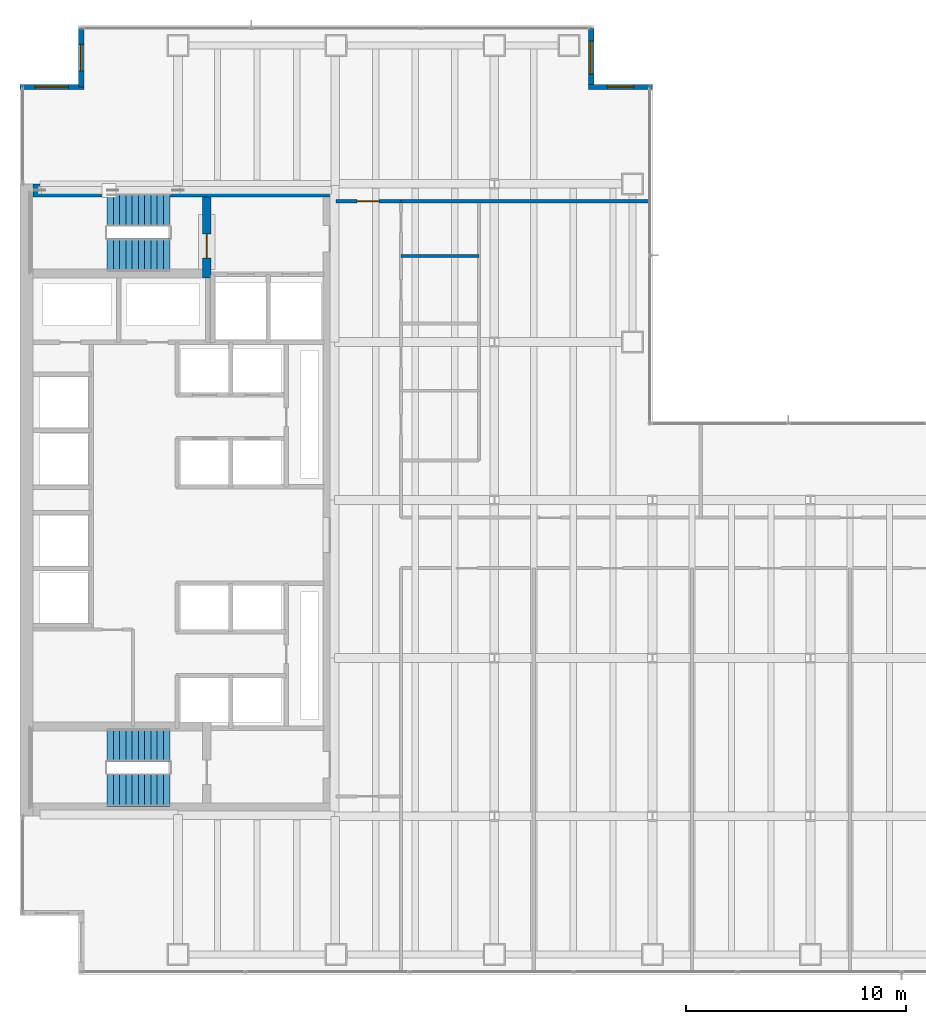
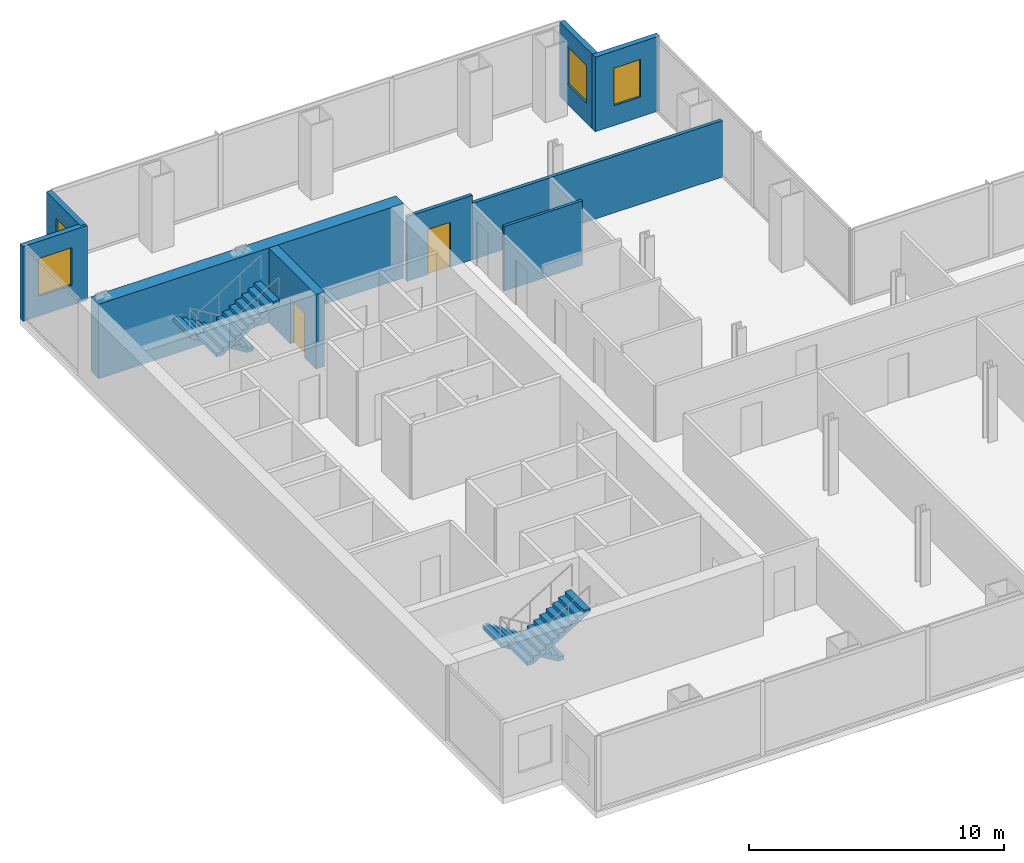
# One storey, part 22 of 25: 9 walls, 4 stair flights, 4 windows, 2 doors, 6 openings, 2 elements without a shape of their own.
"""IFC4 building model written with IfcOpenShell, lengths in metres."""

from ifc_helpers import new_model, si_unit, direction, frame, frame_2d, origin, place, context, subcontext, project, spatial, polyline, rectangle, outline, extrude, material, layer, layer_set, type_object, element, fill, aggregate, save


model = new_model("IFC4")

# Units and contexts
model_context = context("Model", 3, precision=1e-05, world=origin(), true_north=direction((0.0, 1.0)))
body_context = subcontext(model_context, "Body", "Model", "MODEL_VIEW")
ifc_project = project(units=[si_unit("LENGTHUNIT", "METRE"), si_unit("AREAUNIT", "SQUARE_METRE"), si_unit("VOLUMEUNIT", "CUBIC_METRE"), si_unit("PLANEANGLEUNIT", "RADIAN"), si_unit("MASSUNIT", "GRAM", prefix="KILO")], contexts=[model_context])

# Site, building, storey
site_placement = place(None, origin())
site = spatial("IfcSite", under=ifc_project, at=site_placement, CompositionType="ELEMENT")
building_placement = place(site_placement, origin())
building = spatial("IfcBuilding", under=site, at=building_placement, Name="Cobrela Telecom Tower", CompositionType="ELEMENT")
storey_placement = place(building_placement, frame((0.0, 0.0, 58.10009765625)))
storey = spatial("IfcBuildingStorey", under=building, at=storey_placement, Name="L14", CompositionType="ELEMENT", Elevation=58.10009765625)

# Wall
ifc_material_1 = material(Name="Concrete C50/60", Category="concrete")
ifc_layer_1 = layer(ifc_material_1, 0.60009765625)
ifc_layer_set_1 = layer_set([ifc_layer_1], Name="Concrete C50/60")
wall_type_1 = type_object("IfcWallType", Name="WALL-CORE-C50-600", PredefinedType="SHEAR", material=ifc_layer_set_1)
wall_1_placement = place(storey_placement, frame((0.60009765625, 35.699951171875, 0.0), z_axis=(0.0, 0.0, 1.0), x_axis=(1.0, 0.0, 0.0)))
element("IfcWall", 1, at=wall_1_placement, inside=storey, type_object=wall_type_1, Name="L14 North Core Shear Wall", PredefinedType="SHEAR", context=body_context, shape_type="SweptSolid", body=[
    extrude(rectangle(XDim=13.7998046875, YDim=0.60009765625, at=frame_2d((6.89990234375, 0.0))), origin(), (0.0, 0.0, 1.0), 3.56982421875),
])

# Wall, opening, window
ifc_material_2 = material(Name="Concrete C40/50", Category="concrete")
ifc_layer_2 = layer(ifc_material_2, 0.239990234375)
ifc_layer_set_2 = layer_set([ifc_layer_2], Name="Concrete C40/50")
wall_type_2 = type_object("IfcWallType", Name="WALL-EXT-300", PredefinedType="STANDARD", material=ifc_layer_set_2)
wall_2_placement = place(storey_placement, frame((0.0, 40.409912109375, 0.0), z_axis=(0.0, 0.0, 1.0), x_axis=(1.0, 0.0, 0.0)))
wall_2 = element("IfcWall", 2, at=wall_2_placement, inside=storey, type_object=wall_type_2, Name="L14 Insulated Facade Wall 05", PredefinedType="STANDARD", context=body_context, shape_type="SweptSolid", body=[
    extrude(rectangle(XDim=2.909912109375, YDim=0.239990234375, at=frame_2d((1.455078125, 0.0))), origin(), (0.0, 0.0, 1.0), 3.56982421875),
])
opening_1_placement = place(wall_2_placement, frame((0.705078125, 0.0, 0.949951171875)))
opening_1 = element("IfcOpeningElement", 3, at=opening_1_placement, cuts=wall_2, Name="Opening WN-45", PredefinedType="OPENING", context=body_context, shape_type="SweptSolid", body=[
    extrude(rectangle(XDim=1.5, YDim=1.800048828125, at=frame_2d((0.75, 0.89990234375))), frame((0.0, 0.1318359375, 0.0), z_axis=(0.0, -1.0, 0.0), x_axis=(1.0, 0.0, 0.0)), (0.0, 0.0, 1.0), 0.263916015625),
])
ifc_material_3 = material(Name="Solar-Control Bronze Low-E Glass", Category="glass")
window_type_1 = type_object("IfcWindowType", Name="WIN-MOD-1500", PartitioningType="SINGLE_PANEL", PredefinedType="WINDOW", material=ifc_material_3)
window_1_placement = place(opening_1_placement, origin())
window_1 = element("IfcWindow", 4, at=window_1_placement, inside=storey, type_object=window_type_1, Name="L14 Corner Notch Facade Window 062", OverallHeight=1.800048828125, OverallWidth=1.5, PartitioningType="SINGLE_PANEL", PredefinedType="WINDOW", context=body_context, shape_type="SweptSolid", body=[
    extrude(rectangle(XDim=1.5, YDim=1.800048828125, at=frame_2d((0.75, 0.89990234375))), frame((0.0, 0.030029296875, 0.0), z_axis=(0.0, -1.0, 0.0), x_axis=(1.0, 0.0, 0.0)), (0.0, 0.0, 1.0), 0.06005859375),
])
fill(opening_1, window_1)

wall_3_placement = place(storey_placement, frame((2.7900390625, 40.409912109375, 0.0), z_axis=(0.0, 0.0, 1.0), x_axis=(0.0, 1.0, 0.0)))
wall_3 = element("IfcWall", 5, at=wall_3_placement, inside=storey, type_object=wall_type_2, Name="L14 Insulated Facade Wall 06", PredefinedType="STANDARD", context=body_context, shape_type="SweptSolid", body=[
    extrude(rectangle(XDim=2.670166015625, YDim=0.239990234375, at=frame_2d((1.3349609375, 0.0))), origin(), (0.0, 0.0, 1.0), 3.56982421875),
])
opening_2_placement = place(wall_3_placement, frame((0.735107421875, 0.0, 0.949951171875)))
opening_2 = element("IfcOpeningElement", 6, at=opening_2_placement, cuts=wall_3, Name="Opening WN-19", PredefinedType="OPENING", context=body_context, shape_type="SweptSolid", body=[
    extrude(rectangle(XDim=1.199951171875, YDim=1.800048828125, at=frame_2d((0.60009765625, 0.89990234375))), frame((0.0, 0.1318359375, 0.0), z_axis=(0.0, -1.0, 0.0), x_axis=(1.0, 0.0, 0.0)), (0.0, 0.0, 1.0), 0.263916015625),
])
window_type_2 = type_object("IfcWindowType", Name="WIN-MOD-1200", PartitioningType="SINGLE_PANEL", PredefinedType="WINDOW", material=ifc_material_3)
window_2_placement = place(opening_2_placement, origin())
window_2 = element("IfcWindow", 7, at=window_2_placement, inside=storey, type_object=window_type_2, Name="L14 Corner Notch Facade Window 063", OverallHeight=1.800048828125, OverallWidth=1.199951171875, PartitioningType="SINGLE_PANEL", PredefinedType="WINDOW", context=body_context, shape_type="SweptSolid", body=[
    extrude(rectangle(XDim=1.199951171875, YDim=1.800048828125, at=frame_2d((0.60009765625, 0.89990234375))), frame((0.0, 0.030029296875, 0.0), z_axis=(0.0, -1.0, 0.0), x_axis=(1.0, 0.0, 0.0)), (0.0, 0.0, 1.0), 0.06005859375),
])
fill(opening_2, window_2)

wall_4_placement = place(storey_placement, frame((26.010009765625, 43.080078125, 0.0), z_axis=(0.0, 0.0, 1.0), x_axis=(0.0, -1.0, 0.0)))
wall_4 = element("IfcWall", 8, at=wall_4_placement, inside=storey, type_object=wall_type_2, Name="L14 Insulated Facade Wall 08", PredefinedType="STANDARD", context=body_context, shape_type="SweptSolid", body=[
    extrude(rectangle(XDim=2.670166015625, YDim=0.239990234375, at=frame_2d((1.3349609375, 0.0))), origin(), (0.0, 0.0, 1.0), 3.56982421875),
])
opening_3_placement = place(wall_4_placement, frame((0.5849609375, 0.0, 0.949951171875)))
opening_3 = element("IfcOpeningElement", 9, at=opening_3_placement, cuts=wall_4, Name="Opening WN-45", PredefinedType="OPENING", context=body_context, shape_type="SweptSolid", body=[
    extrude(rectangle(XDim=1.5, YDim=1.800048828125, at=frame_2d((0.75, 0.89990234375))), frame((0.0, 0.1318359375, 0.0), z_axis=(0.0, -1.0, 0.0), x_axis=(1.0, 0.0, 0.0)), (0.0, 0.0, 1.0), 0.263916015625),
])
window_3_placement = place(opening_3_placement, origin())
window_3 = element("IfcWindow", 10, at=window_3_placement, inside=storey, type_object=window_type_1, Name="L14 Corner Notch Facade Window 064", OverallHeight=1.800048828125, OverallWidth=1.5, PartitioningType="SINGLE_PANEL", PredefinedType="WINDOW", context=body_context, shape_type="SweptSolid", body=[
    extrude(rectangle(XDim=1.5, YDim=1.800048828125, at=frame_2d((0.75, 0.89990234375))), frame((0.0, 0.030029296875, 0.0), z_axis=(0.0, -1.0, 0.0), x_axis=(1.0, 0.0, 0.0)), (0.0, 0.0, 1.0), 0.06005859375),
])
fill(opening_3, window_3)

wall_5_placement = place(storey_placement, frame((25.889892578125, 40.409912109375, 0.0), z_axis=(0.0, 0.0, 1.0), x_axis=(1.0, 0.0, 0.0)))
wall_5 = element("IfcWall", 11, at=wall_5_placement, inside=storey, type_object=wall_type_2, Name="L14 Insulated Facade Wall 09", PredefinedType="STANDARD", context=body_context, shape_type="SweptSolid", body=[
    extrude(rectangle(XDim=2.91015625, YDim=0.239990234375, at=frame_2d((1.455078125, 0.0))), origin(), (0.0, 0.0, 1.0), 3.56982421875),
])
opening_4_placement = place(wall_5_placement, frame((0.85498046875, 0.0, 0.949951171875)))
opening_4 = element("IfcOpeningElement", 12, at=opening_4_placement, cuts=wall_5, Name="Opening WN-19", PredefinedType="OPENING", context=body_context, shape_type="SweptSolid", body=[
    extrude(rectangle(XDim=1.199951171875, YDim=1.800048828125, at=frame_2d((0.60009765625, 0.89990234375))), frame((0.0, 0.1318359375, 0.0), z_axis=(0.0, -1.0, 0.0), x_axis=(1.0, 0.0, 0.0)), (0.0, 0.0, 1.0), 0.263916015625),
])
window_4_placement = place(opening_4_placement, origin())
window_4 = element("IfcWindow", 13, at=window_4_placement, inside=storey, type_object=window_type_2, Name="L14 Corner Notch Facade Window 065", OverallHeight=1.800048828125, OverallWidth=1.199951171875, PartitioningType="SINGLE_PANEL", PredefinedType="WINDOW", context=body_context, shape_type="SweptSolid", body=[
    extrude(rectangle(XDim=1.199951171875, YDim=1.800048828125, at=frame_2d((0.60009765625, 0.89990234375))), frame((0.0, 0.030029296875, 0.0), z_axis=(0.0, -1.0, 0.0), x_axis=(1.0, 0.0, 0.0)), (0.0, 0.0, 1.0), 0.06005859375),
])
fill(opening_4, window_4)

# Wall
ifc_material_4 = material(Name="Fire-Rated Gypsum Plasterboard")
ifc_layer_3 = layer(ifc_material_4, 0.125)
ifc_layer_set_3 = layer_set([ifc_layer_3], Name="Fire-Rated Gypsum Plasterboard")
wall_type_3 = type_object("IfcWallType", Name="WALL-PART-125", PredefinedType="PARTITIONING", material=ifc_layer_set_3)
wall_6_placement = place(storey_placement, frame((17.35009765625, 32.7099609375, 0.0), z_axis=(0.0, 0.0, 1.0), x_axis=(1.0, 0.0, 0.0)))
element("IfcWall", 14, at=wall_6_placement, inside=storey, type_object=wall_type_3, Name="L14 Interior Partition W-WCD-3", PredefinedType="PARTITIONING", context=body_context, shape_type="SweptSolid", body=[
    extrude(rectangle(XDim=3.5498046875, YDim=0.125, at=frame_2d((1.77490234375, 0.0))), origin(), (0.0, 0.0, 1.0), 3.087890625),
])

# Wall, opening, door
ifc_layer_4 = layer(ifc_material_4, 0.14990234375)
ifc_layer_set_4 = layer_set([ifc_layer_4], Name="Fire-Rated Gypsum Plasterboard")
wall_type_4 = type_object("IfcWallType", Name="WALL-PART-150", PredefinedType="PARTITIONING", material=ifc_layer_set_4)
wall_7_placement = place(storey_placement, frame((14.39990234375, 35.199951171875, 0.0), z_axis=(0.0, 0.0, 1.0), x_axis=(1.0, 0.0, 0.0)))
wall_7 = element("IfcWall", 15, at=wall_7_placement, inside=storey, type_object=wall_type_4, Name="L14 Interior Partition W-C-N0", PredefinedType="PARTITIONING", context=body_context, shape_type="SweptSolid", body=[
    extrude(rectangle(XDim=2.9501953125, YDim=0.14990234375, at=frame_2d((1.47509765625, 0.0))), origin(), (0.0, 0.0, 1.0), 3.087890625),
])
opening_5_placement = place(wall_7_placement, frame((0.949951171875, 0.0, 0.0)))
opening_5 = element("IfcOpeningElement", 16, at=opening_5_placement, cuts=wall_7, Name="Opening DR-31", PredefinedType="OPENING", context=body_context, shape_type="SweptSolid", body=[
    extrude(rectangle(XDim=1.0, YDim=2.14990234375, at=frame_2d((0.5, 1.074951171875))), frame((0.0, 0.0869140625, 0.0), z_axis=(0.0, -1.0, 0.0), x_axis=(1.0, 0.0, 0.0)), (0.0, 0.0, 1.0), 0.173828125),
])
ifc_material_5 = material(Name="Solid Engineered Oak Timber", Category="wood")
door_type_1 = type_object("IfcDoorType", Name="DOOR-INT-1000", OperationType="SINGLE_SWING_LEFT", PredefinedType="DOOR", material=ifc_material_5)
door_1_placement = place(opening_5_placement, origin())
door_1 = element("IfcDoor", 17, at=door_1_placement, inside=storey, type_object=door_type_1, Name="L14 Door DR-31", OperationType="SINGLE_SWING_LEFT", OverallHeight=2.14990234375, OverallWidth=1.0, PredefinedType="DOOR", context=body_context, shape_type="SweptSolid", body=[
    extrude(rectangle(XDim=1.0, YDim=2.14990234375, at=frame_2d((0.5, 1.074951171875))), frame((0.0, 0.02490234375, 0.0), z_axis=(0.0, -1.0, 0.0), x_axis=(1.0, 0.0, 0.0)), (0.0, 0.0, 1.0), 0.050048828125),
])
fill(opening_5, door_1)

# Wall
wall_8_placement = place(storey_placement, frame((17.35009765625, 35.199951171875, 0.0), z_axis=(0.0, 0.0, 1.0), x_axis=(1.0, 0.0, 0.0)))
element("IfcWall", 18, at=wall_8_placement, inside=storey, type_object=wall_type_4, Name="L14 Interior Partition W-NW-S", PredefinedType="PARTITIONING", context=body_context, shape_type="SweptSolid", body=[
    extrude(rectangle(XDim=11.329833984375, YDim=0.14990234375, at=frame_2d((5.6650390625, 0.0))), origin(), (0.0, 0.0, 1.0), 2.698974609375),
])

# Wall, opening, door
ifc_layer_5 = layer(ifc_material_2, 0.39990234375)
ifc_layer_set_5 = layer_set([ifc_layer_5], Name="Concrete C40/50")
wall_type_5 = type_object("IfcWallType", Name="WALL-SHAFT-C40-400", PredefinedType="SHEAR", material=ifc_layer_set_5)
wall_9_placement = place(storey_placement, frame((8.5, 31.719970703125, 0.0), z_axis=(0.0, 0.0, 1.0), x_axis=(0.0, 1.0, 0.0)))
wall_9 = element("IfcWall", 19, at=wall_9_placement, inside=storey, type_object=wall_type_5, Name="L14 North Stair Lobby Shear Wall", PredefinedType="SHEAR", context=body_context, shape_type="SweptSolid", body=[
    extrude(rectangle(XDim=3.679931640625, YDim=0.39990234375, at=frame_2d((1.83984375, 0.0))), origin(), (0.0, 0.0, 1.0), 3.56982421875),
])
opening_6_placement = place(wall_9_placement, frame((0.89990234375, 0.0, 0.0)))
opening_6 = element("IfcOpeningElement", 20, at=opening_6_placement, cuts=wall_9, Name="Opening DR-59", PredefinedType="OPENING", context=body_context, shape_type="SweptSolid", body=[
    extrude(rectangle(XDim=1.10009765625, YDim=2.14990234375, at=frame_2d((0.550048828125, 1.074951171875))), frame((0.0, 0.2119140625, 0.0), z_axis=(0.0, -1.0, 0.0), x_axis=(1.0, 0.0, 0.0)), (0.0, 0.0, 1.0), 0.423828125),
])
ifc_material_6 = material(Name="Steel ASTM A36", Category="steel")
door_type_2 = type_object("IfcDoorType", Name="DOOR-FD60-1100", OperationType="SINGLE_SWING_LEFT", PredefinedType="DOOR", material=ifc_material_6)
door_2_placement = place(opening_6_placement, origin())
door_2 = element("IfcDoor", 21, at=door_2_placement, inside=storey, type_object=door_type_2, Name="L14 Door DR-59", OperationType="SINGLE_SWING_RIGHT", OverallHeight=2.14990234375, OverallWidth=1.10009765625, PredefinedType="DOOR", context=body_context, shape_type="SweptSolid", body=[
    extrude(rectangle(XDim=1.10009765625, YDim=2.14990234375, at=frame_2d((0.550048828125, 1.074951171875))), frame((0.0, 0.02490234375, 0.0), z_axis=(0.0, -1.0, 0.0), x_axis=(1.0, 0.0, 0.0)), (0.0, 0.0, 1.0), 0.050048828125),
])
fill(opening_6, door_2)

# Stair, stair flights
stair_type = type_object("IfcStairType", Name="STAIR-CORE", PredefinedType="HALF_TURN_STAIR", material=ifc_material_2)
stair_1_placement = place(storey_placement, origin())
stair_1 = element("IfcStair", 22, at=stair_1_placement, inside=storey, type_object=stair_type, Name="L14 Smokeproof Exit Stair ST1", PredefinedType="HALF_TURN_STAIR")
stair_flight_type = type_object("IfcStairFlightType", Name="FLIGHT-CORE", PredefinedType="STRAIGHT", material=ifc_material_2)
stair_flight_1_placement = place(storey_placement, frame((6.820068359375, 34.800048828125, 0.0), z_axis=(0.0, 0.0, 1.0), x_axis=(-1.0, 0.0, 0.0)))
stair_flight_1 = element("IfcStairFlight", 23, at=stair_flight_1_placement, type_object=stair_flight_type, Name="ST1 flight 1", NumberOfRisers=11, NumberOfTreads=10, PredefinedType="STRAIGHT", RiserHeight=0.175, TreadLength=0.285, context=body_context, shape_type="SweptSolid", body=[
    extrude(outline(polyline([(0.0, 0.0), (0.0, 0.175048828125), (0.284912109375, 0.175048828125), (0.284912109375, 0.35009765625), (0.570068359375, 0.35009765625), (0.570068359375, 0.52490234375), (0.85498046875, 0.52490234375), (0.85498046875, 0.699951171875), (1.139892578125, 0.699951171875), (1.139892578125, 0.875), (1.425048828125, 0.875), (1.425048828125, 1.050048828125), (1.7099609375, 1.050048828125), (1.7099609375, 1.22509765625), (1.9951171875, 1.22509765625), (1.9951171875, 1.39990234375), (2.280029296875, 1.39990234375), (2.280029296875, 1.574951171875), (2.56494140625, 1.574951171875), (2.56494140625, 1.75), (2.85009765625, 1.75), (2.85009765625, 1.925048828125), (2.85009765625, 1.573974609375), (0.286376953125, 0.0), (0.0, 0.0)])), frame((0.0, 0.75, 0.0), z_axis=(0.0, -1.0, 0.0), x_axis=(1.0, 0.0, 0.0)), (0.0, 0.0, 1.0), 1.5),
])
stair_flight_2_placement = place(storey_placement, frame((3.969970703125, 32.75, 1.9248046875), z_axis=(0.0, 0.0, 1.0), x_axis=(1.0, 0.0, 0.0)))
stair_flight_2 = element("IfcStairFlight", 24, at=stair_flight_2_placement, type_object=stair_flight_type, Name="ST1 flight 2", NumberOfRisers=11, NumberOfTreads=10, PredefinedType="STRAIGHT", RiserHeight=0.175, TreadLength=0.285, context=body_context, shape_type="SweptSolid", body=[
    extrude(outline(polyline([(0.0, 0.0), (0.0, 0.175048828125), (0.284912109375, 0.175048828125), (0.284912109375, 0.35009765625), (0.570068359375, 0.35009765625), (0.570068359375, 0.52490234375), (0.85498046875, 0.52490234375), (0.85498046875, 0.699951171875), (1.139892578125, 0.699951171875), (1.139892578125, 0.875), (1.425048828125, 0.875), (1.425048828125, 1.050048828125), (1.7099609375, 1.050048828125), (1.7099609375, 1.22509765625), (1.9951171875, 1.22509765625), (1.9951171875, 1.39990234375), (2.280029296875, 1.39990234375), (2.280029296875, 1.574951171875), (2.56494140625, 1.574951171875), (2.56494140625, 1.75), (2.85009765625, 1.75), (2.85009765625, 1.925048828125), (2.85009765625, 1.573974609375), (0.286376953125, 0.0), (0.0, 0.0)])), frame((0.0, 0.75, 0.0), z_axis=(0.0, -1.0, 0.0), x_axis=(1.0, 0.0, 0.0)), (0.0, 0.0, 1.0), 1.5),
])
aggregate(stair_1, [stair_flight_1, stair_flight_2])

stair_2_placement = place(storey_placement, origin())
stair_2 = element("IfcStair", 25, at=stair_2_placement, inside=storey, type_object=stair_type, Name="L14 Smokeproof Exit Stair ST2", PredefinedType="HALF_TURN_STAIR")
stair_flight_3_placement = place(storey_placement, frame((6.820068359375, 10.449951171875, 0.0), z_axis=(0.0, 0.0, 1.0), x_axis=(-1.0, 0.0, 0.0)))
stair_flight_3 = element("IfcStairFlight", 26, at=stair_flight_3_placement, type_object=stair_flight_type, Name="ST2 flight 1", NumberOfRisers=11, NumberOfTreads=10, PredefinedType="STRAIGHT", RiserHeight=0.175, TreadLength=0.285, context=body_context, shape_type="SweptSolid", body=[
    extrude(outline(polyline([(0.0, 0.0), (0.0, 0.175048828125), (0.284912109375, 0.175048828125), (0.284912109375, 0.35009765625), (0.570068359375, 0.35009765625), (0.570068359375, 0.52490234375), (0.85498046875, 0.52490234375), (0.85498046875, 0.699951171875), (1.139892578125, 0.699951171875), (1.139892578125, 0.875), (1.425048828125, 0.875), (1.425048828125, 1.050048828125), (1.7099609375, 1.050048828125), (1.7099609375, 1.22509765625), (1.9951171875, 1.22509765625), (1.9951171875, 1.39990234375), (2.280029296875, 1.39990234375), (2.280029296875, 1.574951171875), (2.56494140625, 1.574951171875), (2.56494140625, 1.75), (2.85009765625, 1.75), (2.85009765625, 1.925048828125), (2.85009765625, 1.573974609375), (0.286376953125, 0.0), (0.0, 0.0)])), frame((0.0, 0.75, 0.0), z_axis=(0.0, -1.0, 0.0), x_axis=(1.0, 0.0, 0.0)), (0.0, 0.0, 1.0), 1.5),
])
stair_flight_4_placement = place(storey_placement, frame((3.969970703125, 8.39990234375, 1.9248046875), z_axis=(0.0, 0.0, 1.0), x_axis=(1.0, 0.0, 0.0)))
stair_flight_4 = element("IfcStairFlight", 27, at=stair_flight_4_placement, type_object=stair_flight_type, Name="ST2 flight 2", NumberOfRisers=11, NumberOfTreads=10, PredefinedType="STRAIGHT", RiserHeight=0.175, TreadLength=0.285, context=body_context, shape_type="SweptSolid", body=[
    extrude(outline(polyline([(0.0, 0.0), (0.0, 0.175048828125), (0.284912109375, 0.175048828125), (0.284912109375, 0.35009765625), (0.570068359375, 0.35009765625), (0.570068359375, 0.52490234375), (0.85498046875, 0.52490234375), (0.85498046875, 0.699951171875), (1.139892578125, 0.699951171875), (1.139892578125, 0.875), (1.425048828125, 0.875), (1.425048828125, 1.050048828125), (1.7099609375, 1.050048828125), (1.7099609375, 1.22509765625), (1.9951171875, 1.22509765625), (1.9951171875, 1.39990234375), (2.280029296875, 1.39990234375), (2.280029296875, 1.574951171875), (2.56494140625, 1.574951171875), (2.56494140625, 1.75), (2.85009765625, 1.75), (2.85009765625, 1.925048828125), (2.85009765625, 1.573974609375), (0.286376953125, 0.0), (0.0, 0.0)])), frame((0.0, 0.75, 0.0), z_axis=(0.0, -1.0, 0.0), x_axis=(1.0, 0.0, 0.0)), (0.0, 0.0, 1.0), 1.5),
])
aggregate(stair_2, [stair_flight_3, stair_flight_4])

save(model, "model.ifc")
